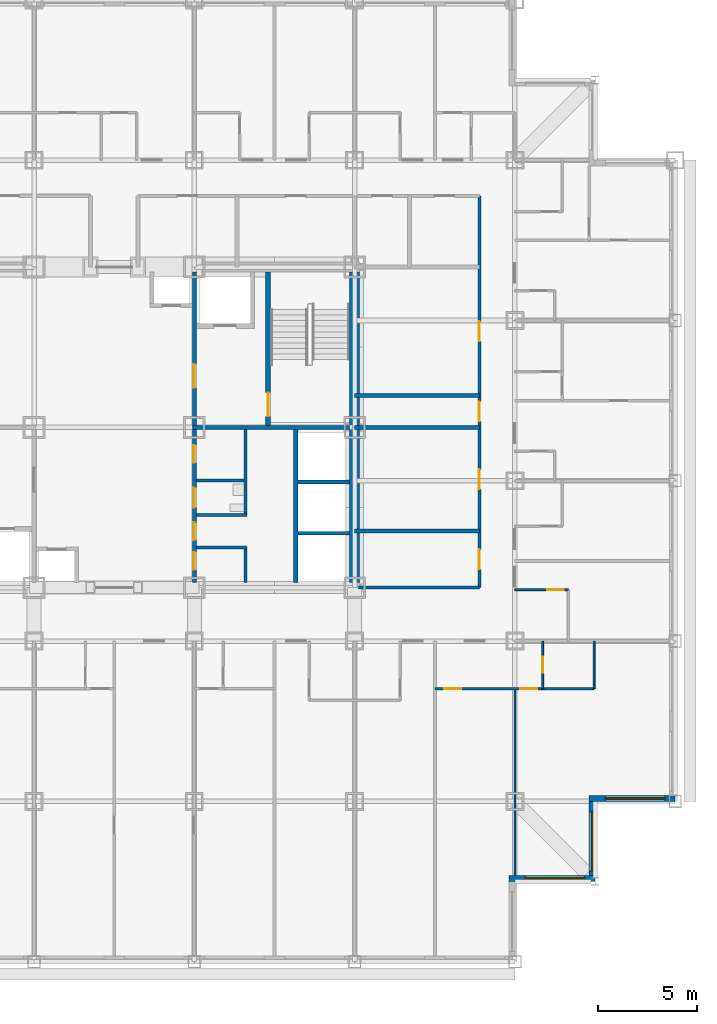
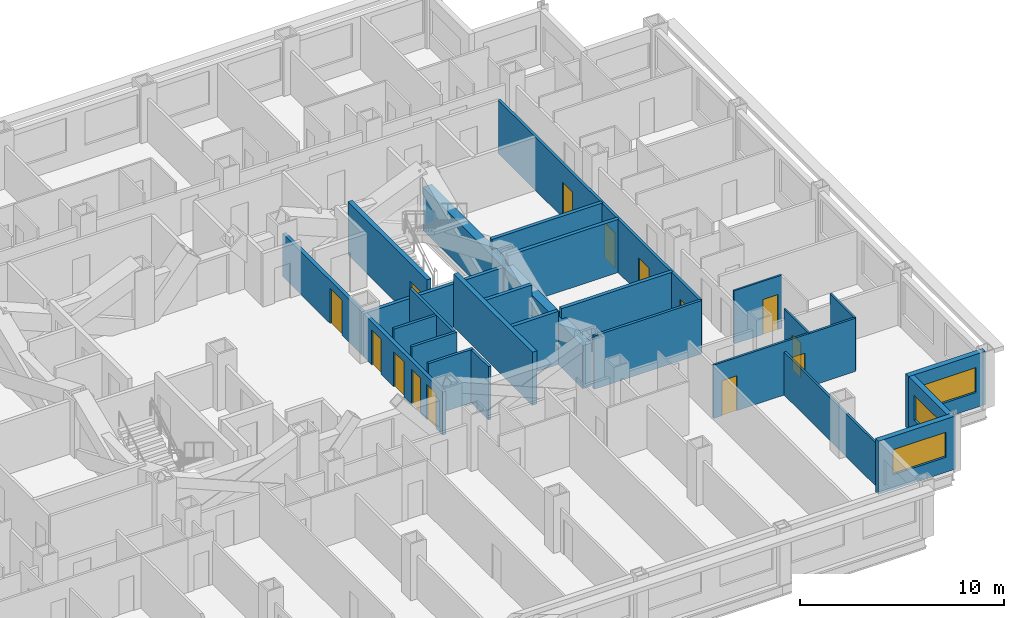
# One storey, part 7 of 14: 26 walls, 14 doors, 3 windows, 17 openings.
"""IFC4 building model written with IfcOpenShell, lengths in metres."""

from ifc_helpers import new_model, si_unit, direction, frame, frame_2d, origin, place, context, subcontext, project, spatial, rectangle, extrude, material, layer, layer_set, type_object, element, fill, save


model = new_model("IFC4")

# Units and contexts
model_context = context("Model", 3, precision=1e-05, world=origin(), true_north=direction((0.0, 1.0)))
body_context = subcontext(model_context, "Body", "Model", "MODEL_VIEW")
ifc_project = project(units=[si_unit("LENGTHUNIT", "METRE"), si_unit("AREAUNIT", "SQUARE_METRE"), si_unit("VOLUMEUNIT", "CUBIC_METRE"), si_unit("PLANEANGLEUNIT", "RADIAN"), si_unit("MASSUNIT", "GRAM", prefix="KILO")], contexts=[model_context])

# Site, building, storey
site_placement = place(None, origin())
site = spatial("IfcSite", under=ifc_project, at=site_placement, CompositionType="ELEMENT")
building_placement = place(site_placement, origin())
building = spatial("IfcBuilding", under=site, at=building_placement, Name="Kopane Lantern Tower", CompositionType="ELEMENT")
storey_placement = place(building_placement, frame((0.0, 0.0, 127.199951171875)))
storey = spatial("IfcBuildingStorey", under=building, at=storey_placement, Name="L32", CompositionType="ELEMENT", Elevation=127.199951171875)

# Wall, openings, doors
ifc_material_1 = material(Name="Gypsum board on steel studs", Category="steel")
ifc_layer_1 = layer(ifc_material_1, 0.1201171875)
ifc_layer_set_1 = layer_set([ifc_layer_1], Name="APARTMENT INTERNAL WALL 120")
wall_type_1 = type_object("IfcWallType", Name="APARTMENT INTERNAL WALL 120", PredefinedType="PARTITIONING", material=ifc_layer_set_1)
wall_1_placement = place(storey_placement, frame((44.550048828125, 19.199951171875, 0.0), z_axis=(0.0, 0.0, 1.0), x_axis=(1.0, 0.0, 0.0)))
wall_1 = element("IfcWall", 1, at=wall_1_placement, inside=storey, type_object=wall_type_1, Name="Apartment Internal Wall 120 L32", PredefinedType="PARTITIONING", context=body_context, shape_type="SweptSolid", body=[
    extrude(rectangle(XDim=8.050048828125, YDim=0.1201171875, at=frame_2d((4.02490234375, 0.0))), origin(), (0.0, 0.0, 1.0), 3.18994140625),
])
opening_1_placement = place(wall_1_placement, frame((0.47509765625, 0.0, 0.0)))
opening_1 = element("IfcOpeningElement", 2, at=opening_1_placement, cuts=wall_1, Name="Opening L32-070", PredefinedType="OPENING", context=body_context, shape_type="SweptSolid", body=[
    extrude(rectangle(XDim=0.85009765625, YDim=2.10009765625, at=frame_2d((0.425048828125, 1.050048828125))), frame((0.0, 0.070068359375, 0.0), z_axis=(0.0, -1.0, 0.0), x_axis=(1.0, 0.0, 0.0)), (0.0, 0.0, 1.0), 0.14013671875),
])
opening_2_placement = place(wall_1_placement, frame((4.324951171875, 0.0, 0.0)))
opening_2 = element("IfcOpeningElement", 3, at=opening_2_placement, cuts=wall_1, Name="Opening L32-072", PredefinedType="OPENING", context=body_context, shape_type="SweptSolid", body=[
    extrude(rectangle(XDim=0.85009765625, YDim=2.10009765625, at=frame_2d((0.425048828125, 1.050048828125))), frame((0.0, 0.070068359375, 0.0), z_axis=(0.0, -1.0, 0.0), x_axis=(1.0, 0.0, 0.0)), (0.0, 0.0, 1.0), 0.14013671875),
])
ifc_material_2 = material(Name="Timber door set", Category="wood")
door_type_1 = type_object("IfcDoorType", Name="DOOR D4 850x2100", OperationType="SINGLE_SWING_LEFT", PredefinedType="DOOR", material=ifc_material_2)
door_1_placement = place(opening_1_placement, origin())
door_1 = element("IfcDoor", 4, at=door_1_placement, inside=storey, type_object=door_type_1, Name="Door L32-070", OperationType="SINGLE_SWING_LEFT", OverallHeight=2.10009765625, OverallWidth=0.85009765625, PredefinedType="DOOR", context=body_context, shape_type="SweptSolid", body=[
    extrude(rectangle(XDim=0.85009765625, YDim=2.10009765625, at=frame_2d((0.425048828125, 1.050048828125))), frame((0.0, 0.02490234375, 0.0), z_axis=(0.0, -1.0, 0.0), x_axis=(1.0, 0.0, 0.0)), (0.0, 0.0, 1.0), 0.050048828125),
])
fill(opening_1, door_1)
door_2_placement = place(opening_2_placement, origin())
door_2 = element("IfcDoor", 5, at=door_2_placement, inside=storey, type_object=door_type_1, Name="Door L32-072", OperationType="SINGLE_SWING_RIGHT", OverallHeight=2.10009765625, OverallWidth=0.85009765625, PredefinedType="DOOR", context=body_context, shape_type="SweptSolid", body=[
    extrude(rectangle(XDim=0.85009765625, YDim=2.10009765625, at=frame_2d((0.425048828125, 1.050048828125))), frame((0.0, 0.02490234375, 0.0), z_axis=(0.0, -1.0, 0.0), x_axis=(1.0, 0.0, 0.0)), (0.0, 0.0, 1.0), 0.050048828125),
])
fill(opening_2, door_2)

# Wall
wall_2_placement = place(storey_placement, frame((48.60009765625, 19.199951171875, 0.0), z_axis=(0.0, 0.0, 1.0), x_axis=(0.0, -1.0, 0.0)))
element("IfcWall", 6, at=wall_2_placement, inside=storey, type_object=wall_type_1, Name="Apartment Internal Wall 120 L32", PredefinedType="PARTITIONING", context=body_context, shape_type="SweptSolid", body=[
    extrude(rectangle(XDim=9.449951171875, YDim=0.1201171875, at=frame_2d((4.72509765625, 0.0))), origin(), (0.0, 0.0, 1.0), 2.577880859375),
])

# Wall, opening, door
ifc_material_3 = material(Name="Moisture-resistant board on steel studs", Category="steel")
ifc_layer_2 = layer(ifc_material_3, 0.10009765625)
ifc_layer_set_2 = layer_set([ifc_layer_2], Name="BATHROOM WALL 100")
wall_type_2 = type_object("IfcWallType", Name="BATHROOM WALL 100", PredefinedType="PARTITIONING", material=ifc_layer_set_2)
wall_3_placement = place(storey_placement, frame((48.60009765625, 24.199951171875, 0.0), z_axis=(0.0, 0.0, 1.0), x_axis=(1.0, 0.0, 0.0)))
wall_3 = element("IfcWall", 7, at=wall_3_placement, inside=storey, type_object=wall_type_2, Name="Bathroom Wall 100 L32", PredefinedType="PARTITIONING", context=body_context, shape_type="SweptSolid", body=[
    extrude(rectangle(XDim=2.699951171875, YDim=0.10009765625, at=frame_2d((1.35009765625, 0.0))), origin(), (0.0, 0.0, 1.0), 3.18994140625),
])
opening_3_placement = place(wall_3_placement, frame((1.625, 0.0, 0.0)))
opening_3 = element("IfcOpeningElement", 8, at=opening_3_placement, cuts=wall_3, Name="Opening L32-053", PredefinedType="OPENING", context=body_context, shape_type="SweptSolid", body=[
    extrude(rectangle(XDim=0.85009765625, YDim=2.10009765625, at=frame_2d((0.425048828125, 1.050048828125))), frame((0.0, 0.06005859375, 0.0), z_axis=(0.0, -1.0, 0.0), x_axis=(1.0, 0.0, 0.0)), (0.0, 0.0, 1.0), 0.1201171875),
])
door_3_placement = place(opening_3_placement, origin())
door_3 = element("IfcDoor", 9, at=door_3_placement, inside=storey, type_object=door_type_1, Name="Door L32-053", OperationType="SINGLE_SWING_LEFT", OverallHeight=2.10009765625, OverallWidth=0.85009765625, PredefinedType="DOOR", context=body_context, shape_type="SweptSolid", body=[
    extrude(rectangle(XDim=0.85009765625, YDim=2.10009765625, at=frame_2d((0.425048828125, 1.050048828125))), frame((0.0, 0.02490234375, 0.0), z_axis=(0.0, -1.0, 0.0), x_axis=(1.0, 0.0, 0.0)), (0.0, 0.0, 1.0), 0.050048828125),
])
fill(opening_3, door_3)

wall_4_placement = place(storey_placement, frame((50.0, 21.60009765625, 0.0), z_axis=(0.0, 0.0, 1.0), x_axis=(0.0, -1.0, 0.0)))
wall_4 = element("IfcWall", 10, at=wall_4_placement, inside=storey, type_object=wall_type_2, Name="Bathroom Wall 100 L32", PredefinedType="PARTITIONING", context=body_context, shape_type="SweptSolid", body=[
    extrude(rectangle(XDim=2.400146484375, YDim=0.10009765625, at=frame_2d((1.2001953125, 0.0))), origin(), (0.0, 0.0, 1.0), 3.18994140625),
])
opening_4_placement = place(wall_4_placement, frame((0.800048828125, 0.0, 0.0)))
opening_4 = element("IfcOpeningElement", 11, at=opening_4_placement, cuts=wall_4, Name="Opening L32-071", PredefinedType="OPENING", context=body_context, shape_type="SweptSolid", body=[
    extrude(rectangle(XDim=0.800048828125, YDim=2.10009765625, at=frame_2d((0.39990234375, 1.050048828125))), frame((0.0, 0.06005859375, 0.0), z_axis=(0.0, -1.0, 0.0), x_axis=(1.0, 0.0, 0.0)), (0.0, 0.0, 1.0), 0.1201171875),
])
ifc_material_4 = material(Name="Timber door set", Category="wood")
door_type_2 = type_object("IfcDoorType", Name="DOOR D2 800x2100", OperationType="SINGLE_SWING_LEFT", PredefinedType="DOOR", material=ifc_material_4)
door_4_placement = place(opening_4_placement, origin())
door_4 = element("IfcDoor", 12, at=door_4_placement, inside=storey, type_object=door_type_2, Name="Door L32-071", OperationType="SINGLE_SWING_LEFT", OverallHeight=2.10009765625, OverallWidth=0.800048828125, PredefinedType="DOOR", context=body_context, shape_type="SweptSolid", body=[
    extrude(rectangle(XDim=0.800048828125, YDim=2.10009765625, at=frame_2d((0.39990234375, 1.050048828125))), frame((0.0, 0.02490234375, 0.0), z_axis=(0.0, -1.0, 0.0), x_axis=(1.0, 0.0, 0.0)), (0.0, 0.0, 1.0), 0.050048828125),
])
fill(opening_4, door_4)

# Walls
wall_5_placement = place(storey_placement, frame((52.60009765625, 21.60009765625, 0.0), z_axis=(0.0, 0.0, 1.0), x_axis=(0.0, -1.0, 0.0)))
element("IfcWall", 13, at=wall_5_placement, inside=storey, type_object=wall_type_2, Name="Bathroom Wall 100 L32", PredefinedType="PARTITIONING", context=body_context, shape_type="SweptSolid", body=[
    extrude(rectangle(XDim=2.400146484375, YDim=0.10009765625, at=frame_2d((1.2001953125, 0.0))), origin(), (0.0, 0.0, 1.0), 3.18994140625),
])
ifc_material_5 = material(Name="Gypsum shaft wall EI 120", Category="gypsum")
ifc_layer_3 = layer(ifc_material_5, 0.5)
ifc_layer_set_3 = layer_set([ifc_layer_3], Name="CORE PERIMETER WALL 500 EI 120")
wall_type_3 = type_object("IfcWallType", Name="CORE PERIMETER WALL 500 EI 120", PredefinedType="SOLIDWALL", material=ifc_layer_set_3)
wall_6_placement = place(storey_placement, frame((40.5, 24.550048828125, 0.0), z_axis=(0.0, 0.0, 1.0), x_axis=(0.0, 1.0, 0.0)))
element("IfcWall", 14, at=wall_6_placement, inside=storey, type_object=wall_type_3, Name="Core shaft wall L32 PE", PredefinedType="SOLIDWALL", context=body_context, shape_type="SweptSolid", body=[
    extrude(rectangle(XDim=15.699951171875, YDim=0.5, at=frame_2d((7.85009765625, 0.0))), origin(), (0.0, 0.0, 1.0), 2.577880859375),
])
ifc_material_6 = material(Name="Gypsum partition EI 60", Category="gypsum")
ifc_layer_4 = layer(ifc_material_6, 0.14990234375)
ifc_layer_set_4 = layer_set([ifc_layer_4], Name="CORE ROOM PARTITION 150 EI 60")
wall_type_4 = type_object("IfcWallType", Name="CORE ROOM PARTITION 150 EI 60", PredefinedType="PARTITIONING", material=ifc_layer_set_4)
for number, where, z_axis, x_axis, name in (
    (15, (32.5, 26.324951171875, 0.0), (0.0, 0.0, 1.0), (1.0, 0.0, 0.0), "Core room partition L32 E1"),
    (16, (32.5, 27.97509765625, 0.0), (0.0, 0.0, 1.0), (1.0, 0.0, 0.0), "Core room partition L32 E2"),
):
    element("IfcWall", number, at=place(storey_placement, frame(where, z_axis=z_axis, x_axis=x_axis)), inside=storey, type_object=wall_type_4, Name=name, PredefinedType="PARTITIONING", context=body_context, shape_type="SweptSolid", body=[
        extrude(rectangle(XDim=2.550048828125, YDim=0.14990234375, at=frame_2d((1.27490234375, 0.0))), origin(), (0.0, 0.0, 1.0), 3.18994140625),
    ])
wall_7_placement = place(storey_placement, frame((32.5, 29.72509765625, 0.0), z_axis=(0.0, 0.0, 1.0), x_axis=(1.0, 0.0, 0.0)))
element("IfcWall", 17, at=wall_7_placement, inside=storey, type_object=wall_type_4, Name="Core room partition L32 E3", PredefinedType="PARTITIONING", context=body_context, shape_type="SweptSolid", body=[
    extrude(rectangle(XDim=2.39990234375, YDim=0.14990234375, at=frame_2d((1.199951171875, 0.0))), origin(), (0.0, 0.0, 1.0), 3.18994140625),
])
wall_8_placement = place(storey_placement, frame((34.97509765625, 24.550048828125, 0.0), z_axis=(0.0, 0.0, 1.0), x_axis=(0.0, 1.0, 0.0)))
element("IfcWall", 18, at=wall_8_placement, inside=storey, type_object=wall_type_4, Name="Core room partition L32 EB0", PredefinedType="PARTITIONING", context=body_context, shape_type="SweptSolid", body=[
    extrude(rectangle(XDim=1.699951171875, YDim=0.14990234375, at=frame_2d((0.85009765625, 0.0))), origin(), (0.0, 0.0, 1.0), 3.18994140625),
])
wall_9_placement = place(storey_placement, frame((34.97509765625, 28.050048828125, 0.0), z_axis=(0.0, 0.0, 1.0), x_axis=(0.0, 1.0, 0.0)))
element("IfcWall", 19, at=wall_9_placement, inside=storey, type_object=wall_type_4, Name="Core room partition L32 EB1", PredefinedType="PARTITIONING", context=body_context, shape_type="SweptSolid", body=[
    extrude(rectangle(XDim=4.25, YDim=0.14990234375, at=frame_2d((2.125, 0.0))), origin(), (0.0, 0.0, 1.0), 3.18994140625),
])

# Wall, openings, doors
ifc_material_7 = material(Name="Gypsum partition EI 60", Category="gypsum")
ifc_layer_5 = layer(ifc_material_7, 0.199951171875)
ifc_layer_set_5 = layer_set([ifc_layer_5], Name="CORE ROOM WALL 200 EI 60")
wall_type_5 = type_object("IfcWallType", Name="CORE ROOM WALL 200 EI 60", PredefinedType="PARTITIONING", material=ifc_layer_set_5)
wall_10_placement = place(storey_placement, frame((32.39990234375, 24.550048828125, 0.0), z_axis=(0.0, 0.0, 1.0), x_axis=(0.0, 1.0, 0.0)))
wall_10 = element("IfcWall", 20, at=wall_10_placement, inside=storey, type_object=wall_type_5, Name="Core room wall L32 XE", PredefinedType="PARTITIONING", context=body_context, shape_type="SweptSolid", body=[
    extrude(rectangle(XDim=7.75, YDim=0.199951171875, at=frame_2d((3.875, 0.0))), origin(), (0.0, 0.0, 1.0), 2.577880859375),
])
opening_5_placement = place(wall_10_placement, frame((0.64990234375, 0.0, 0.0)))
opening_5 = element("IfcOpeningElement", 21, at=opening_5_placement, cuts=wall_10, Name="Opening 32.C20", PredefinedType="OPENING", context=body_context, shape_type="SweptSolid", body=[
    extrude(rectangle(XDim=0.89990234375, YDim=2.10009765625, at=frame_2d((0.449951171875, 1.050048828125))), frame((0.0, 0.10986328125, 0.0), z_axis=(0.0, -1.0, 0.0), x_axis=(1.0, 0.0, 0.0)), (0.0, 0.0, 1.0), 0.219970703125),
])
opening_6_placement = place(wall_10_placement, frame((2.14990234375, 0.0, 0.0)))
opening_6 = element("IfcOpeningElement", 22, at=opening_6_placement, cuts=wall_10, Name="Opening 32.C21", PredefinedType="OPENING", context=body_context, shape_type="SweptSolid", body=[
    extrude(rectangle(XDim=0.89990234375, YDim=2.10009765625, at=frame_2d((0.449951171875, 1.050048828125))), frame((0.0, 0.10986328125, 0.0), z_axis=(0.0, -1.0, 0.0), x_axis=(1.0, 0.0, 0.0)), (0.0, 0.0, 1.0), 0.219970703125),
])
opening_7_placement = place(wall_10_placement, frame((3.800048828125, 0.0, 0.0)))
opening_7 = element("IfcOpeningElement", 23, at=opening_7_placement, cuts=wall_10, Name="Opening 32.C22", PredefinedType="OPENING", context=body_context, shape_type="SweptSolid", body=[
    extrude(rectangle(XDim=1.0, YDim=2.10009765625, at=frame_2d((0.5, 1.050048828125))), frame((0.0, 0.10986328125, 0.0), z_axis=(0.0, -1.0, 0.0), x_axis=(1.0, 0.0, 0.0)), (0.0, 0.0, 1.0), 0.219970703125),
])
opening_8_placement = place(wall_10_placement, frame((6.050048828125, 0.0, 0.0)))
opening_8 = element("IfcOpeningElement", 24, at=opening_8_placement, cuts=wall_10, Name="Opening 32.C23", PredefinedType="OPENING", context=body_context, shape_type="SweptSolid", body=[
    extrude(rectangle(XDim=0.89990234375, YDim=2.10009765625, at=frame_2d((0.449951171875, 1.050048828125))), frame((0.0, 0.10986328125, 0.0), z_axis=(0.0, -1.0, 0.0), x_axis=(1.0, 0.0, 0.0)), (0.0, 0.0, 1.0), 0.219970703125),
])
ifc_material_8 = material(Name="Steel door set", Category="steel")
door_type_3 = type_object("IfcDoorType", Name="CORE ROOM DOOR 1000x2100 FD30S", OperationType="SINGLE_SWING_RIGHT", PredefinedType="DOOR", material=ifc_material_8)
door_5_placement = place(opening_7_placement, origin())
door_5 = element("IfcDoor", 25, at=door_5_placement, inside=storey, type_object=door_type_3, Name="Door Staff WC L32", OperationType="SINGLE_SWING_RIGHT", OverallHeight=2.10009765625, OverallWidth=1.0, PredefinedType="DOOR", context=body_context, shape_type="SweptSolid", body=[
    extrude(rectangle(XDim=1.0, YDim=2.10009765625, at=frame_2d((0.5, 1.050048828125))), frame((0.0, 0.02490234375, 0.0), z_axis=(0.0, -1.0, 0.0), x_axis=(1.0, 0.0, 0.0)), (0.0, 0.0, 1.0), 0.050048828125),
])
fill(opening_7, door_5)
ifc_material_9 = material(Name="Steel door set", Category="steel")
door_type_4 = type_object("IfcDoorType", Name="CORE ROOM DOOR 900x2100 FD60", OperationType="SINGLE_SWING_LEFT", PredefinedType="DOOR", material=ifc_material_9)
door_6_placement = place(opening_5_placement, origin())
door_6 = element("IfcDoor", 26, at=door_6_placement, inside=storey, type_object=door_type_4, Name="Door Cleaner store L32", OperationType="SINGLE_SWING_LEFT", OverallHeight=2.10009765625, OverallWidth=0.89990234375, PredefinedType="DOOR", context=body_context, shape_type="SweptSolid", body=[
    extrude(rectangle(XDim=0.89990234375, YDim=2.10009765625, at=frame_2d((0.449951171875, 1.050048828125))), frame((0.0, 0.02490234375, 0.0), z_axis=(0.0, -1.0, 0.0), x_axis=(1.0, 0.0, 0.0)), (0.0, 0.0, 1.0), 0.050048828125),
])
fill(opening_5, door_6)
door_7_placement = place(opening_6_placement, origin())
door_7 = element("IfcDoor", 27, at=door_7_placement, inside=storey, type_object=door_type_4, Name="Door Housekeeping store L32", OperationType="SINGLE_SWING_LEFT", OverallHeight=2.10009765625, OverallWidth=0.89990234375, PredefinedType="DOOR", context=body_context, shape_type="SweptSolid", body=[
    extrude(rectangle(XDim=0.89990234375, YDim=2.10009765625, at=frame_2d((0.449951171875, 1.050048828125))), frame((0.0, 0.02490234375, 0.0), z_axis=(0.0, -1.0, 0.0), x_axis=(1.0, 0.0, 0.0)), (0.0, 0.0, 1.0), 0.050048828125),
])
fill(opening_6, door_7)
door_8_placement = place(opening_8_placement, origin())
door_8 = element("IfcDoor", 28, at=door_8_placement, inside=storey, type_object=door_type_4, Name="Door IT room L32", OperationType="SINGLE_SWING_LEFT", OverallHeight=2.10009765625, OverallWidth=0.89990234375, PredefinedType="DOOR", context=body_context, shape_type="SweptSolid", body=[
    extrude(rectangle(XDim=0.89990234375, YDim=2.10009765625, at=frame_2d((0.449951171875, 1.050048828125))), frame((0.0, 0.02490234375, 0.0), z_axis=(0.0, -1.0, 0.0), x_axis=(1.0, 0.0, 0.0)), (0.0, 0.0, 1.0), 0.050048828125),
])
fill(opening_8, door_8)

# Wall
ifc_material_10 = material(Name="Gypsum shaft wall EI 120", Category="gypsum")
ifc_layer_6 = layer(ifc_material_10, 0.25)
ifc_layer_set_6 = layer_set([ifc_layer_6], Name="CORE SHAFT WALL 250 EI 120")
wall_type_6 = type_object("IfcWallType", Name="CORE SHAFT WALL 250 EI 120", PredefinedType="SOLIDWALL", material=ifc_layer_set_6)
wall_11_placement = place(storey_placement, frame((37.52490234375, 24.550048828125, 0.0), z_axis=(0.0, 0.0, 1.0), x_axis=(0.0, 1.0, 0.0)))
element("IfcWall", 29, at=wall_11_placement, inside=storey, type_object=wall_type_6, Name="Core shaft wall L32 XLR", PredefinedType="SOLIDWALL", context=body_context, shape_type="SweptSolid", body=[
    extrude(rectangle(XDim=7.75, YDim=0.25, at=frame_2d((3.875, 0.0))), origin(), (0.0, 0.0, 1.0), 3.18994140625),
])

# Wall, opening, door
wall_12_placement = place(storey_placement, frame((36.125, 32.5, 0.0), z_axis=(0.0, 0.0, 1.0), x_axis=(0.0, 1.0, 0.0)))
wall_12 = element("IfcWall", 30, at=wall_12_placement, inside=storey, type_object=wall_type_6, Name="Core shaft wall L32 XST2", PredefinedType="SOLIDWALL", context=body_context, shape_type="SweptSolid", body=[
    extrude(rectangle(XDim=7.75, YDim=0.25, at=frame_2d((3.875, 0.0))), origin(), (0.0, 0.0, 1.0), 3.18994140625),
])
opening_9_placement = place(wall_12_placement, frame((0.449951171875, 0.0, 0.0)))
opening_9 = element("IfcOpeningElement", 31, at=opening_9_placement, cuts=wall_12, Name="Opening 32.SD2", PredefinedType="OPENING", context=body_context, shape_type="SweptSolid", body=[
    extrude(rectangle(XDim=1.199951171875, YDim=2.10009765625, at=frame_2d((0.60009765625, 1.050048828125))), frame((0.0, 0.135009765625, 0.0), z_axis=(0.0, -1.0, 0.0), x_axis=(1.0, 0.0, 0.0)), (0.0, 0.0, 1.0), 0.27001953125),
])
ifc_material_11 = material(Name="Steel door set", Category="steel")
door_type_5 = type_object("IfcDoorType", Name="STAIR DOOR 1200x2100 FD60S", OperationType="SINGLE_SWING_LEFT", PredefinedType="DOOR", material=ifc_material_11)
door_9_placement = place(opening_9_placement, origin())
door_9 = element("IfcDoor", 32, at=door_9_placement, inside=storey, type_object=door_type_5, Name="Stair door ST2 L32", OperationType="SINGLE_SWING_RIGHT", OverallHeight=2.10009765625, OverallWidth=1.199951171875, PredefinedType="DOOR", context=body_context, shape_type="SweptSolid", body=[
    extrude(rectangle(XDim=1.199951171875, YDim=2.10009765625, at=frame_2d((0.60009765625, 1.050048828125))), frame((0.0, 0.02490234375, 0.0), z_axis=(0.0, -1.0, 0.0), x_axis=(1.0, 0.0, 0.0)), (0.0, 0.0, 1.0), 0.050048828125),
])
fill(opening_9, door_9)

# Wall, openings, doors
ifc_material_12 = material(Name="Gypsum board on steel studs", Category="steel")
ifc_layer_7 = layer(ifc_material_12, 0.14990234375)
ifc_layer_set_7 = layer_set([ifc_layer_7], Name="CORRIDOR WALL 150 EI 60")
wall_type_7 = type_object("IfcWallType", Name="CORRIDOR WALL 150 EI 60", PredefinedType="PARTITIONING", material=ifc_layer_set_7)
wall_13_placement = place(storey_placement, frame((46.800048828125, 24.300048828125, 0.0), z_axis=(0.0, 0.0, 1.0), x_axis=(0.0, 1.0, 0.0)))
wall_13 = element("IfcWall", 33, at=wall_13_placement, inside=storey, type_object=wall_type_7, Name="Corridor Wall 150 Ei 60 L32", PredefinedType="PARTITIONING", context=body_context, shape_type="SweptSolid", body=[
    extrude(rectangle(XDim=19.800048828125, YDim=0.14990234375, at=frame_2d((9.89990234375, 0.0))), origin(), (0.0, 0.0, 1.0), 3.18994140625),
])
opening_10_placement = place(wall_13_placement, frame((0.9287109375, 0.0, 0.0)))
opening_10 = element("IfcOpeningElement", 34, at=opening_10_placement, cuts=wall_13, Name="Opening L32-004", PredefinedType="OPENING", context=body_context, shape_type="SweptSolid", body=[
    extrude(rectangle(XDim=1.0, YDim=2.10009765625, at=frame_2d((0.5, 1.050048828125))), frame((0.0, 0.0849609375, 0.0), z_axis=(0.0, -1.0, 0.0), x_axis=(1.0, 0.0, 0.0)), (0.0, 0.0, 1.0), 0.169921875),
])
opening_11_placement = place(wall_13_placement, frame((4.978515625, 0.0, 0.0)))
opening_11 = element("IfcOpeningElement", 35, at=opening_11_placement, cuts=wall_13, Name="Opening L32-005", PredefinedType="OPENING", context=body_context, shape_type="SweptSolid", body=[
    extrude(rectangle(XDim=1.0, YDim=2.10009765625, at=frame_2d((0.5, 1.050048828125))), frame((0.0, 0.0849609375, 0.0), z_axis=(0.0, -1.0, 0.0), x_axis=(1.0, 0.0, 0.0)), (0.0, 0.0, 1.0), 0.169921875),
])
opening_12_placement = place(wall_13_placement, frame((8.39990234375, 0.0, 0.0)))
opening_12 = element("IfcOpeningElement", 36, at=opening_12_placement, cuts=wall_13, Name="Opening L32-006", PredefinedType="OPENING", context=body_context, shape_type="SweptSolid", body=[
    extrude(rectangle(XDim=1.0, YDim=2.10009765625, at=frame_2d((0.5, 1.050048828125))), frame((0.0, 0.0849609375, 0.0), z_axis=(0.0, -1.0, 0.0), x_axis=(1.0, 0.0, 0.0)), (0.0, 0.0, 1.0), 0.169921875),
])
opening_13_placement = place(wall_13_placement, frame((12.449951171875, 0.0, 0.0)))
opening_13 = element("IfcOpeningElement", 37, at=opening_13_placement, cuts=wall_13, Name="Opening L32-007", PredefinedType="OPENING", context=body_context, shape_type="SweptSolid", body=[
    extrude(rectangle(XDim=1.0, YDim=2.10009765625, at=frame_2d((0.5, 1.050048828125))), frame((0.0, 0.0849609375, 0.0), z_axis=(0.0, -1.0, 0.0), x_axis=(1.0, 0.0, 0.0)), (0.0, 0.0, 1.0), 0.169921875),
])
ifc_material_13 = material(Name="Steel door set", Category="steel")
door_type_6 = type_object("IfcDoorType", Name="DOOR D5 1000x2100 FD60", OperationType="SINGLE_SWING_LEFT", PredefinedType="DOOR", material=ifc_material_13)
door_10_placement = place(opening_10_placement, origin())
door_10 = element("IfcDoor", 38, at=door_10_placement, inside=storey, type_object=door_type_6, Name="Door L32-004", OperationType="SINGLE_SWING_LEFT", OverallHeight=2.10009765625, OverallWidth=1.0, PredefinedType="DOOR", context=body_context, shape_type="SweptSolid", body=[
    extrude(rectangle(XDim=1.0, YDim=2.10009765625, at=frame_2d((0.5, 1.050048828125))), frame((0.0, 0.02490234375, 0.0), z_axis=(0.0, -1.0, 0.0), x_axis=(1.0, 0.0, 0.0)), (0.0, 0.0, 1.0), 0.050048828125),
])
fill(opening_10, door_10)
door_11_placement = place(opening_11_placement, origin())
door_11 = element("IfcDoor", 39, at=door_11_placement, inside=storey, type_object=door_type_6, Name="Door L32-005", OperationType="SINGLE_SWING_RIGHT", OverallHeight=2.10009765625, OverallWidth=1.0, PredefinedType="DOOR", context=body_context, shape_type="SweptSolid", body=[
    extrude(rectangle(XDim=1.0, YDim=2.10009765625, at=frame_2d((0.5, 1.050048828125))), frame((0.0, 0.02490234375, 0.0), z_axis=(0.0, -1.0, 0.0), x_axis=(1.0, 0.0, 0.0)), (0.0, 0.0, 1.0), 0.050048828125),
])
fill(opening_11, door_11)
door_12_placement = place(opening_12_placement, origin())
door_12 = element("IfcDoor", 40, at=door_12_placement, inside=storey, type_object=door_type_6, Name="Door L32-006", OperationType="SINGLE_SWING_LEFT", OverallHeight=2.10009765625, OverallWidth=1.0, PredefinedType="DOOR", context=body_context, shape_type="SweptSolid", body=[
    extrude(rectangle(XDim=1.0, YDim=2.10009765625, at=frame_2d((0.5, 1.050048828125))), frame((0.0, 0.02490234375, 0.0), z_axis=(0.0, -1.0, 0.0), x_axis=(1.0, 0.0, 0.0)), (0.0, 0.0, 1.0), 0.050048828125),
])
fill(opening_12, door_12)
door_13_placement = place(opening_13_placement, origin())
door_13 = element("IfcDoor", 41, at=door_13_placement, inside=storey, type_object=door_type_6, Name="Door L32-007", OperationType="SINGLE_SWING_RIGHT", OverallHeight=2.10009765625, OverallWidth=1.0, PredefinedType="DOOR", context=body_context, shape_type="SweptSolid", body=[
    extrude(rectangle(XDim=1.0, YDim=2.10009765625, at=frame_2d((0.5, 1.050048828125))), frame((0.0, 0.02490234375, 0.0), z_axis=(0.0, -1.0, 0.0), x_axis=(1.0, 0.0, 0.0)), (0.0, 0.0, 1.0), 0.050048828125),
])
fill(opening_13, door_13)

# Wall
wall_14_placement = place(storey_placement, frame((40.699951171875, 24.300048828125, 0.0), z_axis=(0.0, 0.0, 1.0), x_axis=(1.0, 0.0, 0.0)))
element("IfcWall", 42, at=wall_14_placement, inside=storey, type_object=wall_type_7, Name="Corridor Wall 150 Ei 60 L32", PredefinedType="PARTITIONING", context=body_context, shape_type="SweptSolid", body=[
    extrude(rectangle(XDim=6.10009765625, YDim=0.14990234375, at=frame_2d((3.050048828125, 0.0))), origin(), (0.0, 0.0, 1.0), 3.18994140625),
])

# Wall, opening, window
ifc_material_14 = material(Name="Terracotta rainscreen on light steel framing", Category="masonry")
ifc_layer_8 = layer(ifc_material_14, 0.300048828125)
ifc_layer_set_8 = layer_set([ifc_layer_8], Name="EXTERNAL WALL EW1 300 TERRACOTTA")
wall_type_8 = type_object("IfcWallType", Name="EXTERNAL WALL EW1 300 TERRACOTTA", PredefinedType="SOLIDWALL", material=ifc_layer_set_8)
wall_15_placement = place(storey_placement, frame((48.300048828125, 9.60009765625, 0.0), z_axis=(0.0, 0.0, 1.0), x_axis=(1.0, 0.0, 0.0)))
wall_15 = element("IfcWall", 43, at=wall_15_placement, inside=storey, type_object=wall_type_8, Name="External wall S L32", PredefinedType="SOLIDWALL", context=body_context, shape_type="SweptSolid", body=[
    extrude(rectangle(XDim=4.349853515625, YDim=0.300048828125, at=frame_2d((2.1748046875, 0.0))), origin(), (0.0, 0.0, 1.0), 3.18994140625),
])
opening_14_placement = place(wall_15_placement, frame((0.824951171875, 0.0, 0.89990234375)))
opening_14 = element("IfcOpeningElement", 44, at=opening_14_placement, cuts=wall_15, Name="Opening WR300150", PredefinedType="OPENING", context=body_context, shape_type="SweptSolid", body=[
    extrude(rectangle(XDim=3.0, YDim=1.5, at=frame_2d((1.5, 0.75))), frame((0.0, 0.159912109375, 0.0), z_axis=(0.0, -1.0, 0.0), x_axis=(1.0, 0.0, 0.0)), (0.0, 0.0, 1.0), 0.320068359375),
])
ifc_material_15 = material(Name="Aluminium and clear glass", Category="aluminium")
window_type = type_object("IfcWindowType", Name="RIBBON WINDOW WR300150 3000x1500", PartitioningType="SINGLE_PANEL", PredefinedType="WINDOW", material=ifc_material_15)
window_1_placement = place(opening_14_placement, origin())
window_1 = element("IfcWindow", 45, at=window_1_placement, inside=storey, type_object=window_type, Name="Window S L32", OverallHeight=1.5, OverallWidth=3.0, PartitioningType="SINGLE_PANEL", PredefinedType="WINDOW", context=body_context, shape_type="SweptSolid", body=[
    extrude(rectangle(XDim=3.0, YDim=1.5, at=frame_2d((1.5, 0.75))), frame((0.0, 0.030029296875, 0.0), z_axis=(0.0, -1.0, 0.0), x_axis=(1.0, 0.0, 0.0)), (0.0, 0.0, 1.0), 0.06005859375),
])
fill(opening_14, window_1)

wall_16_placement = place(storey_placement, frame((52.5, 9.75, 0.0), z_axis=(0.0, 0.0, 1.0), x_axis=(0.0, 1.0, 0.0)))
wall_16 = element("IfcWall", 46, at=wall_16_placement, inside=storey, type_object=wall_type_8, Name="External wall E L32", PredefinedType="SOLIDWALL", context=body_context, shape_type="SweptSolid", body=[
    extrude(rectangle(XDim=3.75, YDim=0.300048828125, at=frame_2d((1.875, 0.0))), origin(), (0.0, 0.0, 1.0), 3.18994140625),
])
opening_15_placement = place(wall_16_placement, frame((0.22509765625, 0.0, 0.89990234375)))
opening_15 = element("IfcOpeningElement", 47, at=opening_15_placement, cuts=wall_16, Name="Opening WR300150", PredefinedType="OPENING", context=body_context, shape_type="SweptSolid", body=[
    extrude(rectangle(XDim=3.0, YDim=1.5, at=frame_2d((1.5, 0.75))), frame((0.0, 0.159912109375, 0.0), z_axis=(0.0, -1.0, 0.0), x_axis=(1.0, 0.0, 0.0)), (0.0, 0.0, 1.0), 0.320068359375),
])
window_2_placement = place(opening_15_placement, origin())
window_2 = element("IfcWindow", 48, at=window_2_placement, inside=storey, type_object=window_type, Name="Window E L32", OverallHeight=1.5, OverallWidth=3.0, PartitioningType="SINGLE_PANEL", PredefinedType="WINDOW", context=body_context, shape_type="SweptSolid", body=[
    extrude(rectangle(XDim=3.0, YDim=1.5, at=frame_2d((1.5, 0.75))), frame((0.0, 0.030029296875, 0.0), z_axis=(0.0, -1.0, 0.0), x_axis=(1.0, 0.0, 0.0)), (0.0, 0.0, 1.0), 0.06005859375),
])
fill(opening_15, window_2)

wall_17_placement = place(storey_placement, frame((52.35009765625, 13.64990234375, 0.0), z_axis=(0.0, 0.0, 1.0), x_axis=(1.0, 0.0, 0.0)))
wall_17 = element("IfcWall", 49, at=wall_17_placement, inside=storey, type_object=wall_type_8, Name="External wall S L32", PredefinedType="SOLIDWALL", context=body_context, shape_type="SweptSolid", body=[
    extrude(rectangle(XDim=4.349853515625, YDim=0.300048828125, at=frame_2d((2.1748046875, 0.0))), origin(), (0.0, 0.0, 1.0), 3.18994140625),
])
opening_16_placement = place(wall_17_placement, frame((0.824951171875, 0.0, 0.89990234375)))
opening_16 = element("IfcOpeningElement", 50, at=opening_16_placement, cuts=wall_17, Name="Opening WR300150", PredefinedType="OPENING", context=body_context, shape_type="SweptSolid", body=[
    extrude(rectangle(XDim=3.0, YDim=1.5, at=frame_2d((1.5, 0.75))), frame((0.0, 0.159912109375, 0.0), z_axis=(0.0, -1.0, 0.0), x_axis=(1.0, 0.0, 0.0)), (0.0, 0.0, 1.0), 0.320068359375),
])
window_3_placement = place(opening_16_placement, origin())
window_3 = element("IfcWindow", 51, at=window_3_placement, inside=storey, type_object=window_type, Name="Window S L32", OverallHeight=1.5, OverallWidth=3.0, PartitioningType="SINGLE_PANEL", PredefinedType="WINDOW", context=body_context, shape_type="SweptSolid", body=[
    extrude(rectangle(XDim=3.0, YDim=1.5, at=frame_2d((1.5, 0.75))), frame((0.0, 0.030029296875, 0.0), z_axis=(0.0, -1.0, 0.0), x_axis=(1.0, 0.0, 0.0)), (0.0, 0.0, 1.0), 0.06005859375),
])
fill(opening_16, window_3)

# Walls
ifc_material_16 = material(Name="Concrete masonry", Category="masonry")
ifc_layer_9 = layer(ifc_material_16, 0.199951171875)
ifc_layer_set_9 = layer_set([ifc_layer_9], Name="PLANT ROOM WALL 200 EI 120")
wall_type_9 = type_object("IfcWallType", Name="PLANT ROOM WALL 200 EI 120", PredefinedType="SOLIDWALL", material=ifc_layer_set_9)
for number, where, z_axis, x_axis, name in (
    (52, (40.5, 32.39990234375, 0.0), (0.0, 0.0, 1.0), (1.0, 0.0, 0.0), "Plant Room Wall 200 Ei 120 L32"),
    (53, (46.800048828125, 27.156982421875, 0.0), (0.0, 0.0, 1.0), (-1.0, 0.0, 0.0), "Plant Room Wall 200 Ei 120 L32"),
    (54, (46.800048828125, 34.0, 0.0), (0.0, 0.0, 1.0), (-1.0, 0.0, 0.0), "Plant Room Wall 200 Ei 120 L32"),
):
    element("IfcWall", number, at=place(storey_placement, frame(where, z_axis=z_axis, x_axis=x_axis)), inside=storey, type_object=wall_type_9, Name=name, PredefinedType="SOLIDWALL", context=body_context, shape_type="SweptSolid", body=[
        extrude(rectangle(XDim=6.300048828125, YDim=0.199951171875, at=frame_2d((3.14990234375, 0.0))), origin(), (0.0, 0.0, 1.0), 3.18994140625),
    ])
ifc_material_17 = material(Name="Gypsum shaft wall EI 120", Category="gypsum")
ifc_layer_10 = layer(ifc_material_17, 0.199951171875)
ifc_layer_set_10 = layer_set([ifc_layer_10], Name="SHAFT WALL 200 EI 120")
wall_type_10 = type_object("IfcWallType", Name="SHAFT WALL 200 EI 120", PredefinedType="SOLIDWALL", material=ifc_layer_set_10)
wall_18_placement = place(storey_placement, frame((32.300048828125, 32.39990234375, 0.0), z_axis=(0.0, 0.0, 1.0), x_axis=(1.0, 0.0, 0.0)))
element("IfcWall", 55, at=wall_18_placement, inside=storey, type_object=wall_type_10, Name="Core shaft wall L32 Y324E", PredefinedType="SOLIDWALL", context=body_context, shape_type="SweptSolid", body=[
    extrude(rectangle(XDim=7.949951171875, YDim=0.199951171875, at=frame_2d((3.97509765625, 0.0))), origin(), (0.0, 0.0, 1.0), 2.577880859375),
])

# Wall, opening, door
wall_19_placement = place(storey_placement, frame((32.39990234375, 32.5, 0.0), z_axis=(0.0, 0.0, 1.0), x_axis=(0.0, 1.0, 0.0)))
wall_19 = element("IfcWall", 56, at=wall_19_placement, inside=storey, type_object=wall_type_10, Name="Core shaft wall L32 X324", PredefinedType="SOLIDWALL", context=body_context, shape_type="SweptSolid", body=[
    extrude(rectangle(XDim=7.75, YDim=0.199951171875, at=frame_2d((3.875, 0.0))), origin(), (0.0, 0.0, 1.0), 2.577880859375),
])
opening_17_placement = place(wall_19_placement, frame((1.89990234375, 0.0, 0.0)))
opening_17 = element("IfcOpeningElement", 57, at=opening_17_placement, cuts=wall_19, Name="Opening 32.FL2", PredefinedType="OPENING", context=body_context, shape_type="SweptSolid", body=[
    extrude(rectangle(XDim=1.199951171875, YDim=2.10009765625, at=frame_2d((0.60009765625, 1.050048828125))), frame((0.0, 0.10986328125, 0.0), z_axis=(0.0, -1.0, 0.0), x_axis=(1.0, 0.0, 0.0)), (0.0, 0.0, 1.0), 0.219970703125),
])
ifc_material_18 = material(Name="Steel door set", Category="steel")
door_type_7 = type_object("IfcDoorType", Name="FIREFIGHTING LOBBY DOOR 1200x2100 FD60S", OperationType="SINGLE_SWING_RIGHT", PredefinedType="DOOR", material=ifc_material_18)
door_14_placement = place(opening_17_placement, origin())
door_14 = element("IfcDoor", 58, at=door_14_placement, inside=storey, type_object=door_type_7, Name="Firefighting lobby door FL2 L32", OperationType="SINGLE_SWING_LEFT", OverallHeight=2.10009765625, OverallWidth=1.199951171875, PredefinedType="DOOR", context=body_context, shape_type="SweptSolid", body=[
    extrude(rectangle(XDim=1.199951171875, YDim=2.10009765625, at=frame_2d((0.60009765625, 1.050048828125))), frame((0.0, 0.02490234375, 0.0), z_axis=(0.0, -1.0, 0.0), x_axis=(1.0, 0.0, 0.0)), (0.0, 0.0, 1.0), 0.050048828125),
])
fill(opening_17, door_14)

# Walls
for number, where, z_axis, x_axis, name in (
    (59, (37.64990234375, 27.050048828125, 0.0), (0.0, 0.0, 1.0), (1.0, 0.0, 0.0), "Core shaft wall L32 YLR12"),
    (60, (37.64990234375, 29.64990234375, 0.0), (0.0, 0.0, 1.0), (1.0, 0.0, 0.0), "Core shaft wall L32 YLR23"),
):
    element("IfcWall", number, at=place(storey_placement, frame(where, z_axis=z_axis, x_axis=x_axis)), inside=storey, type_object=wall_type_10, Name=name, PredefinedType="SOLIDWALL", context=body_context, shape_type="SweptSolid", body=[
        extrude(rectangle(XDim=2.60009765625, YDim=0.199951171875, at=frame_2d((1.300048828125, 0.0))), origin(), (0.0, 0.0, 1.0), 3.18994140625),
    ])

save(model, "model.ifc")
